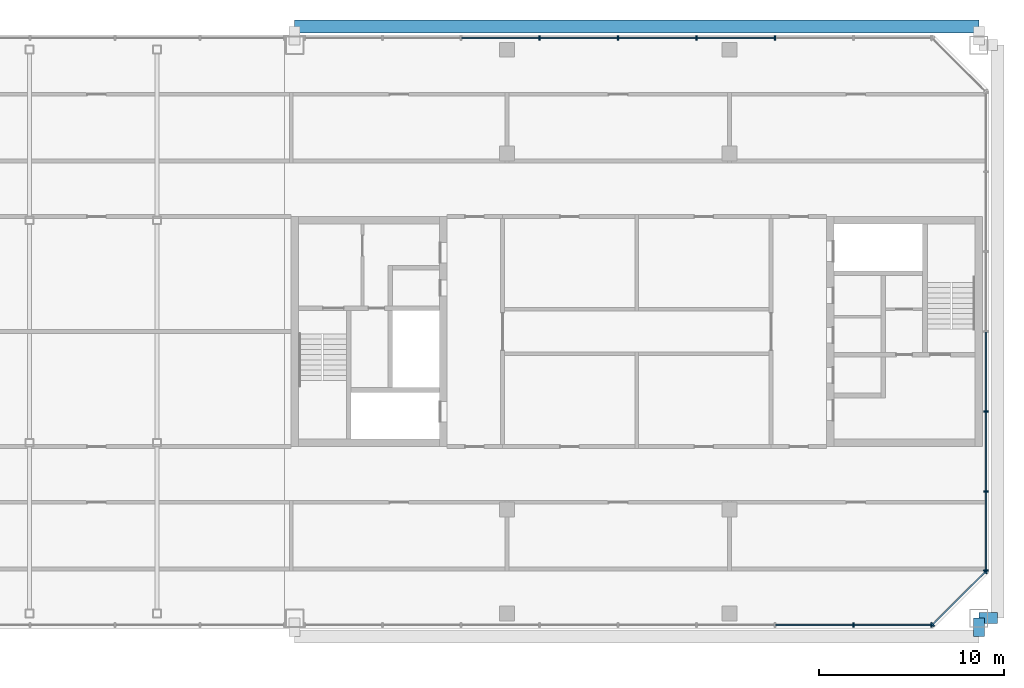
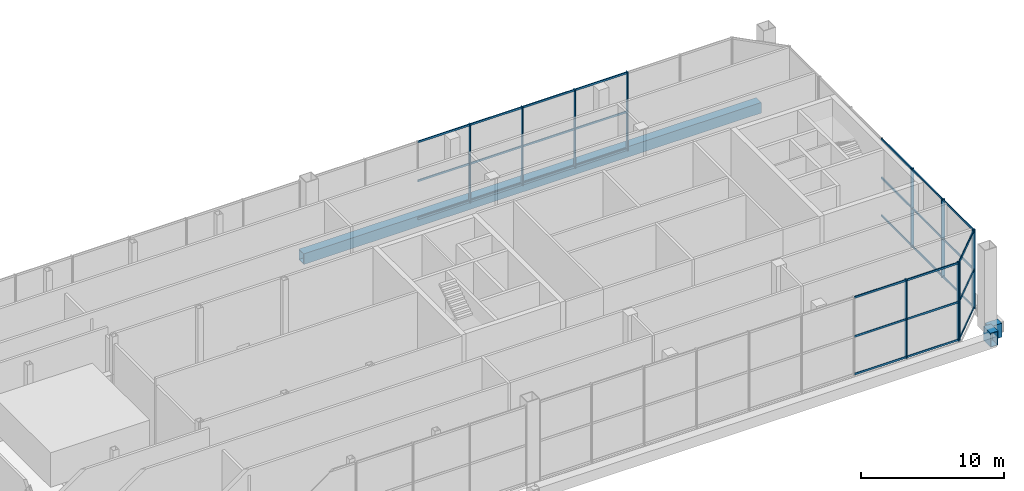
# One storey, part 12 of 27: 41 members, 3 beams, 4 elements without a shape of their own.
"""IFC4 building model written with IfcOpenShell, lengths in metres."""

from ifc_helpers import new_model, si_unit, direction, frame, origin, origin_2d, place, context, subcontext, project, spatial, rectangle, hollow_rectangle, extrude, material, material_profile, profile_set, type_object, element, aggregate, save


model = new_model("IFC4")

# Units and contexts
model_context = context("Model", 3, precision=1e-05, world=origin(), true_north=direction((0.0, 1.0)))
body_context = subcontext(model_context, "Body", "Model", "MODEL_VIEW")
ifc_project = project(units=[si_unit("LENGTHUNIT", "METRE"), si_unit("AREAUNIT", "SQUARE_METRE"), si_unit("VOLUMEUNIT", "CUBIC_METRE"), si_unit("PLANEANGLEUNIT", "RADIAN"), si_unit("MASSUNIT", "GRAM", prefix="KILO")], contexts=[model_context])

# Site, building, storey
site_placement = place(None, origin())
site = spatial("IfcSite", under=ifc_project, at=site_placement, CompositionType="ELEMENT")
building_placement = place(site_placement, origin())
building = spatial("IfcBuilding", under=site, at=building_placement, Name="Tuart Gate Housing", CompositionType="ELEMENT")
storey_placement = place(building_placement, frame((0.0, 0.0, 236.89990234375)))
storey = spatial("IfcBuildingStorey", under=building, at=storey_placement, Name="L67", CompositionType="ELEMENT", Elevation=236.89990234375)

# Beams
ifc_material_1 = material(Name="Steel Grade 350", Category="steel")
ifc_material_profile_1 = material_profile(ifc_material_1, hollow_rectangle(XDim=0.60009765625, YDim=1.199951171875, WallThickness=0.0400390625, at=origin_2d()), Name="BOX 1200x600x40")
ifc_profile_set_1 = profile_set([ifc_material_profile_1], Name="Steel Grade 350")
beam_type_1 = type_object("IfcBeamType", Name="Brace shoe BOX 1200x600x40", PredefinedType="BEAM", material=ifc_profile_set_1)
for number, where, z_axis, x_axis, name in (
    (1, (168.449951171875, 54.550048828125, -0.39990234375), (0.0, -1.0, 0.0), (1.0, 0.0, 0.0), "Mega tie beam B node 8 south shoe 1 L67"),
    (2, (168.449951171875, 54.550048828125, -0.39990234375), (1.0, 0.0, 0.0), (0.0, 1.0, 0.0), "Mega tie beam B node 8 east shoe 0 L67"),
):
    element("IfcBeam", number, at=place(storey_placement, frame(where, z_axis=z_axis, x_axis=x_axis)), inside=storey, type_object=beam_type_1, Name=name, PredefinedType="BEAM", context=body_context, shape_type="SweptSolid", body=[
        extrude(hollow_rectangle(XDim=0.60009765625, YDim=1.199951171875, WallThickness=0.0400390625, at=origin_2d()), origin(), (0.0, 0.0, 1.0), 1.0),
    ])

# Curtain wall, members
ifc_material_2 = material(Name="Aluminium and clear glass", Category="aluminium")
curtain_wall_type = type_object("IfcCurtainWallType", Name="Damper floor glazing", PredefinedType="USERDEFINED", material=ifc_material_2)
curtain_wall_1_placement = place(storey_placement, origin())
curtain_wall_1 = element("IfcCurtainWall", 3, at=curtain_wall_1_placement, inside=storey, type_object=curtain_wall_type, Name="Damper floor glazing BLK-S L67", ObjectType="DAMPER FLOOR GLAZING", PredefinedType="USERDEFINED")
ifc_material_3 = material(Name="Anodised aluminium", Category="aluminium")
ifc_material_profile_2 = material_profile(ifc_material_3, rectangle(XDim=0.080078125, YDim=0.25, at=origin_2d()), Name="80x250")
ifc_profile_set_2 = profile_set([ifc_material_profile_2], Name="Anodised aluminium")
member_type_1 = type_object("IfcMemberType", Name="Mullion 80 x 250", PredefinedType="MULLION", material=ifc_profile_set_2)
member_1_placement = place(storey_placement, frame((161.691162109375, 54.179931640625, 0.0), z_axis=(0.0, 0.0, 1.0), x_axis=(1.0, 0.0, 0.0)))
member_1 = element("IfcMember", 4, at=member_1_placement, type_object=member_type_1, Name="CW5 mullion 8", PredefinedType="MULLION", context=body_context, shape_type="SweptSolid", body=[
    extrude(rectangle(XDim=0.080078125, YDim=0.25, at=origin_2d()), origin(), (0.0, 0.0, 1.0), 6.7001953125),
])
member_2_placement = place(storey_placement, frame((165.885498046875, 54.179931640625, 0.0), z_axis=(0.0, 0.0, 1.0), x_axis=(1.0, 0.0, 0.0)))
member_2 = element("IfcMember", 5, at=member_2_placement, type_object=member_type_1, Name="CW5 mullion 9", PredefinedType="MULLION", context=body_context, shape_type="SweptSolid", body=[
    extrude(rectangle(XDim=0.080078125, YDim=0.25, at=origin_2d()), origin(), (0.0, 0.0, 1.0), 6.7001953125),
])

curtain_wall_2_placement = place(storey_placement, origin())
curtain_wall_2 = element("IfcCurtainWall", 6, at=curtain_wall_2_placement, inside=storey, type_object=curtain_wall_type, Name="Damper floor glazing BLK-SE L67", ObjectType="DAMPER FLOOR GLAZING", PredefinedType="USERDEFINED")
member_3_placement = place(storey_placement, frame((165.95361328125, 54.208251953125, 0.0), z_axis=(0.0, 0.0, 1.0), x_axis=(0.707106781187, 0.707106781187, 0.0)))
member_3 = element("IfcMember", 7, at=member_3_placement, type_object=member_type_1, Name="CW5 mullion 1", PredefinedType="MULLION", context=body_context, shape_type="SweptSolid", body=[
    extrude(rectangle(XDim=0.080078125, YDim=0.25, at=origin_2d()), origin(), (0.0, 0.0, 1.0), 6.7001953125),
])
member_4_placement = place(storey_placement, frame((168.791748046875, 57.04638671875, 0.0), z_axis=(0.0, 0.0, 1.0), x_axis=(0.707106781187, 0.707106781187, 0.0)))
member_4 = element("IfcMember", 8, at=member_4_placement, type_object=member_type_1, Name="CW5 mullion 2", PredefinedType="MULLION", context=body_context, shape_type="SweptSolid", body=[
    extrude(rectangle(XDim=0.080078125, YDim=0.25, at=origin_2d()), origin(), (0.0, 0.0, 1.0), 6.7001953125),
])

curtain_wall_3_placement = place(storey_placement, origin())
curtain_wall_3 = element("IfcCurtainWall", 9, at=curtain_wall_3_placement, inside=storey, type_object=curtain_wall_type, Name="Damper floor glazing BLK-E L67", ObjectType="DAMPER FLOOR GLAZING", PredefinedType="USERDEFINED")
member_5_placement = place(storey_placement, frame((168.820068359375, 57.114501953125, 0.0), z_axis=(0.0, 0.0, 1.0), x_axis=(0.0, 1.0, 0.0)))
member_5 = element("IfcMember", 10, at=member_5_placement, type_object=member_type_1, Name="CW5 mullion 1", PredefinedType="MULLION", context=body_context, shape_type="SweptSolid", body=[
    extrude(rectangle(XDim=0.080078125, YDim=0.25, at=origin_2d()), origin(), (0.0, 0.0, 1.0), 6.7001953125),
])
member_6_placement = place(storey_placement, frame((168.820068359375, 61.383056640625, 0.0), z_axis=(0.0, 0.0, 1.0), x_axis=(0.0, 1.0, 0.0)))
member_6 = element("IfcMember", 11, at=member_6_placement, type_object=member_type_1, Name="CW5 mullion 2", PredefinedType="MULLION", context=body_context, shape_type="SweptSolid", body=[
    extrude(rectangle(XDim=0.080078125, YDim=0.25, at=origin_2d()), origin(), (0.0, 0.0, 1.0), 6.7001953125),
])
member_7_placement = place(storey_placement, frame((168.820068359375, 65.691650390625, 0.0), z_axis=(0.0, 0.0, 1.0), x_axis=(0.0, 1.0, 0.0)))
member_7 = element("IfcMember", 12, at=member_7_placement, type_object=member_type_1, Name="CW5 mullion 3", PredefinedType="MULLION", context=body_context, shape_type="SweptSolid", body=[
    extrude(rectangle(XDim=0.080078125, YDim=0.25, at=origin_2d()), origin(), (0.0, 0.0, 1.0), 6.7001953125),
])

curtain_wall_4_placement = place(storey_placement, origin())
curtain_wall_4 = element("IfcCurtainWall", 13, at=curtain_wall_4_placement, inside=storey, type_object=curtain_wall_type, Name="Damper floor glazing BLK-N L67", ObjectType="DAMPER FLOOR GLAZING", PredefinedType="USERDEFINED")
member_8_placement = place(storey_placement, frame((157.45654296875, 85.820068359375, 0.0), z_axis=(0.0, 0.0, 1.0), x_axis=(-1.0, 0.0, 0.0)))
member_8 = element("IfcMember", 14, at=member_8_placement, type_object=member_type_1, Name="CW5 mullion 3", PredefinedType="MULLION", context=body_context, shape_type="SweptSolid", body=[
    extrude(rectangle(XDim=0.080078125, YDim=0.25, at=origin_2d()), origin(), (0.0, 0.0, 1.0), 6.7001953125),
])
member_9_placement = place(storey_placement, frame((153.22216796875, 85.820068359375, 0.0), z_axis=(0.0, 0.0, 1.0), x_axis=(-1.0, 0.0, 0.0)))
member_9 = element("IfcMember", 15, at=member_9_placement, type_object=member_type_1, Name="CW5 mullion 4", PredefinedType="MULLION", context=body_context, shape_type="SweptSolid", body=[
    extrude(rectangle(XDim=0.080078125, YDim=0.25, at=origin_2d()), origin(), (0.0, 0.0, 1.0), 6.7001953125),
])
member_10_placement = place(storey_placement, frame((148.98779296875, 85.820068359375, 0.0), z_axis=(0.0, 0.0, 1.0), x_axis=(-1.0, 0.0, 0.0)))
member_10 = element("IfcMember", 16, at=member_10_placement, type_object=member_type_1, Name="CW5 mullion 5", PredefinedType="MULLION", context=body_context, shape_type="SweptSolid", body=[
    extrude(rectangle(XDim=0.080078125, YDim=0.25, at=origin_2d()), origin(), (0.0, 0.0, 1.0), 6.7001953125),
])
member_11_placement = place(storey_placement, frame((144.753173828125, 85.820068359375, 0.0), z_axis=(0.0, 0.0, 1.0), x_axis=(-1.0, 0.0, 0.0)))
member_11 = element("IfcMember", 17, at=member_11_placement, type_object=member_type_1, Name="CW5 mullion 6", PredefinedType="MULLION", context=body_context, shape_type="SweptSolid", body=[
    extrude(rectangle(XDim=0.080078125, YDim=0.25, at=origin_2d()), origin(), (0.0, 0.0, 1.0), 6.7001953125),
])

# Beam
ifc_material_4 = material(Name="Steel Grade 350", Category="steel")
ifc_material_profile_3 = material_profile(ifc_material_4, hollow_rectangle(XDim=0.699951171875, YDim=0.89990234375, WallThickness=0.0400390625, at=origin_2d()), Name="BOX 900x700x40")
ifc_profile_set_3 = profile_set([ifc_material_profile_3], Name="Steel Grade 350")
beam_type_2 = type_object("IfcBeamType", Name="Tie beam BOX 900x700x40", PredefinedType="BEAM", material=ifc_profile_set_3)
beam_placement = place(storey_placement, frame((131.550048828125, 86.449951171875, -0.39990234375), z_axis=(1.0, 0.0, 0.0), x_axis=(0.0, 1.0, 0.0)))
element("IfcBeam", 18, at=beam_placement, inside=storey, type_object=beam_type_2, Name="Mega tie beam B node 8 north L67", PredefinedType="BEAM", context=body_context, shape_type="SweptSolid", body=[
    extrude(hollow_rectangle(XDim=0.699951171875, YDim=0.89990234375, WallThickness=0.0400390625, at=origin_2d()), origin(), (0.0, 0.0, 1.0), 36.89990234375),
])

# Member
ifc_material_5 = material(Name="Anodised aluminium", Category="aluminium")
ifc_material_profile_4 = material_profile(ifc_material_5, rectangle(XDim=0.080078125, YDim=0.159912109375, at=origin_2d()), Name="80x160")
ifc_profile_set_4 = profile_set([ifc_material_profile_4], Name="Anodised aluminium")
member_type_2 = type_object("IfcMemberType", Name="Transom 80 x 160", PredefinedType="USERDEFINED", material=ifc_profile_set_4)
member_12_placement = place(storey_placement, frame((157.49658203125, 54.179931640625, 0.080078125), z_axis=(1.0, 0.0, 0.0), x_axis=(0.0, 1.0, 0.0)))
member_12 = element("IfcMember", 19, at=member_12_placement, type_object=member_type_2, Name="CW5 transom 7.1", ObjectType="TRANSOM", PredefinedType="USERDEFINED", context=body_context, shape_type="SweptSolid", body=[
    extrude(rectangle(XDim=0.080078125, YDim=0.159912109375, at=origin_2d()), origin(), (0.0, 0.0, 1.0), 4.154541015625),
])

member_13_placement = place(storey_placement, frame((157.49658203125, 54.179931640625, 3.300048828125), z_axis=(1.0, 0.0, 0.0), x_axis=(0.0, 1.0, 0.0)))
member_13 = element("IfcMember", 20, at=member_13_placement, type_object=member_type_2, Name="CW5 transom 7.2", ObjectType="TRANSOM", PredefinedType="USERDEFINED", context=body_context, shape_type="SweptSolid", body=[
    extrude(rectangle(XDim=0.080078125, YDim=0.159912109375, at=origin_2d()), origin(), (0.0, 0.0, 1.0), 4.154541015625),
])

member_14_placement = place(storey_placement, frame((157.49658203125, 54.179931640625, 6.6201171875), z_axis=(1.0, 0.0, 0.0), x_axis=(0.0, 1.0, 0.0)))
member_14 = element("IfcMember", 21, at=member_14_placement, type_object=member_type_2, Name="CW5 transom 7.3", ObjectType="TRANSOM", PredefinedType="USERDEFINED", context=body_context, shape_type="SweptSolid", body=[
    extrude(rectangle(XDim=0.080078125, YDim=0.159912109375, at=origin_2d()), origin(), (0.0, 0.0, 1.0), 4.154541015625),
])

member_15_placement = place(storey_placement, frame((161.73095703125, 54.179931640625, 0.080078125), z_axis=(1.0, 0.0, 0.0), x_axis=(0.0, 1.0, 0.0)))
member_15 = element("IfcMember", 22, at=member_15_placement, type_object=member_type_2, Name="CW5 transom 8.1", ObjectType="TRANSOM", PredefinedType="USERDEFINED", context=body_context, shape_type="SweptSolid", body=[
    extrude(rectangle(XDim=0.080078125, YDim=0.159912109375, at=origin_2d()), origin(), (0.0, 0.0, 1.0), 4.114501953125),
])

member_16_placement = place(storey_placement, frame((161.73095703125, 54.179931640625, 3.300048828125), z_axis=(1.0, 0.0, 0.0), x_axis=(0.0, 1.0, 0.0)))
member_16 = element("IfcMember", 23, at=member_16_placement, type_object=member_type_2, Name="CW5 transom 8.2", ObjectType="TRANSOM", PredefinedType="USERDEFINED", context=body_context, shape_type="SweptSolid", body=[
    extrude(rectangle(XDim=0.080078125, YDim=0.159912109375, at=origin_2d()), origin(), (0.0, 0.0, 1.0), 4.114501953125),
])

member_17_placement = place(storey_placement, frame((161.73095703125, 54.179931640625, 6.6201171875), z_axis=(1.0, 0.0, 0.0), x_axis=(0.0, 1.0, 0.0)))
member_17 = element("IfcMember", 24, at=member_17_placement, type_object=member_type_2, Name="CW5 transom 8.3", ObjectType="TRANSOM", PredefinedType="USERDEFINED", context=body_context, shape_type="SweptSolid", body=[
    extrude(rectangle(XDim=0.080078125, YDim=0.159912109375, at=origin_2d()), origin(), (0.0, 0.0, 1.0), 4.114501953125),
])

aggregate(curtain_wall_1, [member_1, member_2, member_12, member_13, member_14, member_15, member_16, member_17])

member_18_placement = place(storey_placement, frame((165.98193359375, 54.236572265625, 0.080078125), z_axis=(0.707106781187, 0.707106781187, 0.0), x_axis=(-0.707106781187, 0.707106781187, 0.0)))
member_18 = element("IfcMember", 25, at=member_18_placement, type_object=member_type_2, Name="CW5 transom 1.1", ObjectType="TRANSOM", PredefinedType="USERDEFINED", context=body_context, shape_type="SweptSolid", body=[
    extrude(rectangle(XDim=0.080078125, YDim=0.159912109375, at=origin_2d()), origin(), (0.0, 0.0, 1.0), 3.93359375),
])

member_19_placement = place(storey_placement, frame((165.98193359375, 54.236572265625, 3.300048828125), z_axis=(0.707106781187, 0.707106781187, 0.0), x_axis=(-0.707106781187, 0.707106781187, 0.0)))
member_19 = element("IfcMember", 26, at=member_19_placement, type_object=member_type_2, Name="CW5 transom 1.2", ObjectType="TRANSOM", PredefinedType="USERDEFINED", context=body_context, shape_type="SweptSolid", body=[
    extrude(rectangle(XDim=0.080078125, YDim=0.159912109375, at=origin_2d()), origin(), (0.0, 0.0, 1.0), 3.93359375),
])

member_20_placement = place(storey_placement, frame((165.98193359375, 54.236572265625, 6.6201171875), z_axis=(0.707106781187, 0.707106781187, 0.0), x_axis=(-0.707106781187, 0.707106781187, 0.0)))
member_20 = element("IfcMember", 27, at=member_20_placement, type_object=member_type_2, Name="CW5 transom 1.3", ObjectType="TRANSOM", PredefinedType="USERDEFINED", context=body_context, shape_type="SweptSolid", body=[
    extrude(rectangle(XDim=0.080078125, YDim=0.159912109375, at=origin_2d()), origin(), (0.0, 0.0, 1.0), 3.93359375),
])

aggregate(curtain_wall_2, [member_3, member_4, member_18, member_19, member_20])

member_21_placement = place(storey_placement, frame((168.820068359375, 57.154541015625, 0.080078125), z_axis=(0.0, 1.0, 0.0), x_axis=(-1.0, 0.0, 0.0)))
member_21 = element("IfcMember", 28, at=member_21_placement, type_object=member_type_2, Name="CW5 transom 1.1", ObjectType="TRANSOM", PredefinedType="USERDEFINED", context=body_context, shape_type="SweptSolid", body=[
    extrude(rectangle(XDim=0.080078125, YDim=0.159912109375, at=origin_2d()), origin(), (0.0, 0.0, 1.0), 4.1884765625),
])

member_22_placement = place(storey_placement, frame((168.820068359375, 57.154541015625, 3.300048828125), z_axis=(0.0, 1.0, 0.0), x_axis=(-1.0, 0.0, 0.0)))
member_22 = element("IfcMember", 29, at=member_22_placement, type_object=member_type_2, Name="CW5 transom 1.2", ObjectType="TRANSOM", PredefinedType="USERDEFINED", context=body_context, shape_type="SweptSolid", body=[
    extrude(rectangle(XDim=0.080078125, YDim=0.159912109375, at=origin_2d()), origin(), (0.0, 0.0, 1.0), 4.1884765625),
])

member_23_placement = place(storey_placement, frame((168.820068359375, 57.154541015625, 6.6201171875), z_axis=(0.0, 1.0, 0.0), x_axis=(-1.0, 0.0, 0.0)))
member_23 = element("IfcMember", 30, at=member_23_placement, type_object=member_type_2, Name="CW5 transom 1.3", ObjectType="TRANSOM", PredefinedType="USERDEFINED", context=body_context, shape_type="SweptSolid", body=[
    extrude(rectangle(XDim=0.080078125, YDim=0.159912109375, at=origin_2d()), origin(), (0.0, 0.0, 1.0), 4.1884765625),
])

member_24_placement = place(storey_placement, frame((168.820068359375, 61.423095703125, 0.080078125), z_axis=(0.0, 1.0, 0.0), x_axis=(-1.0, 0.0, 0.0)))
member_24 = element("IfcMember", 31, at=member_24_placement, type_object=member_type_2, Name="CW5 transom 2.1", ObjectType="TRANSOM", PredefinedType="USERDEFINED", context=body_context, shape_type="SweptSolid", body=[
    extrude(rectangle(XDim=0.080078125, YDim=0.159912109375, at=origin_2d()), origin(), (0.0, 0.0, 1.0), 4.228515625),
])

member_25_placement = place(storey_placement, frame((168.820068359375, 61.423095703125, 3.300048828125), z_axis=(0.0, 1.0, 0.0), x_axis=(-1.0, 0.0, 0.0)))
member_25 = element("IfcMember", 32, at=member_25_placement, type_object=member_type_2, Name="CW5 transom 2.2", ObjectType="TRANSOM", PredefinedType="USERDEFINED", context=body_context, shape_type="SweptSolid", body=[
    extrude(rectangle(XDim=0.080078125, YDim=0.159912109375, at=origin_2d()), origin(), (0.0, 0.0, 1.0), 4.228515625),
])

member_26_placement = place(storey_placement, frame((168.820068359375, 61.423095703125, 6.6201171875), z_axis=(0.0, 1.0, 0.0), x_axis=(-1.0, 0.0, 0.0)))
member_26 = element("IfcMember", 33, at=member_26_placement, type_object=member_type_2, Name="CW5 transom 2.3", ObjectType="TRANSOM", PredefinedType="USERDEFINED", context=body_context, shape_type="SweptSolid", body=[
    extrude(rectangle(XDim=0.080078125, YDim=0.159912109375, at=origin_2d()), origin(), (0.0, 0.0, 1.0), 4.228515625),
])

member_27_placement = place(storey_placement, frame((168.820068359375, 65.7314453125, 0.080078125), z_axis=(0.0, 1.0, 0.0), x_axis=(-1.0, 0.0, 0.0)))
member_27 = element("IfcMember", 34, at=member_27_placement, type_object=member_type_2, Name="CW5 transom 3.1", ObjectType="TRANSOM", PredefinedType="USERDEFINED", context=body_context, shape_type="SweptSolid", body=[
    extrude(rectangle(XDim=0.080078125, YDim=0.159912109375, at=origin_2d()), origin(), (0.0, 0.0, 1.0), 4.228515625),
])

member_28_placement = place(storey_placement, frame((168.820068359375, 65.7314453125, 3.300048828125), z_axis=(0.0, 1.0, 0.0), x_axis=(-1.0, 0.0, 0.0)))
member_28 = element("IfcMember", 35, at=member_28_placement, type_object=member_type_2, Name="CW5 transom 3.2", ObjectType="TRANSOM", PredefinedType="USERDEFINED", context=body_context, shape_type="SweptSolid", body=[
    extrude(rectangle(XDim=0.080078125, YDim=0.159912109375, at=origin_2d()), origin(), (0.0, 0.0, 1.0), 4.228515625),
])

member_29_placement = place(storey_placement, frame((168.820068359375, 65.7314453125, 6.6201171875), z_axis=(0.0, 1.0, 0.0), x_axis=(-1.0, 0.0, 0.0)))
member_29 = element("IfcMember", 36, at=member_29_placement, type_object=member_type_2, Name="CW5 transom 3.3", ObjectType="TRANSOM", PredefinedType="USERDEFINED", context=body_context, shape_type="SweptSolid", body=[
    extrude(rectangle(XDim=0.080078125, YDim=0.159912109375, at=origin_2d()), origin(), (0.0, 0.0, 1.0), 4.228515625),
])

aggregate(curtain_wall_3, [member_5, member_6, member_7, member_21, member_22, member_23, member_24, member_25, member_26, member_27, member_28, member_29])

member_30_placement = place(storey_placement, frame((157.41650390625, 85.820068359375, 0.080078125), z_axis=(-1.0, 0.0, 0.0), x_axis=(0.0, -1.0, 0.0)))
member_30 = element("IfcMember", 37, at=member_30_placement, type_object=member_type_2, Name="CW5 transom 3.1", ObjectType="TRANSOM", PredefinedType="USERDEFINED", context=body_context, shape_type="SweptSolid", body=[
    extrude(rectangle(XDim=0.080078125, YDim=0.159912109375, at=origin_2d()), origin(), (0.0, 0.0, 1.0), 4.154296875),
])

member_31_placement = place(storey_placement, frame((157.41650390625, 85.820068359375, 3.300048828125), z_axis=(-1.0, 0.0, 0.0), x_axis=(0.0, -1.0, 0.0)))
member_31 = element("IfcMember", 38, at=member_31_placement, type_object=member_type_2, Name="CW5 transom 3.2", ObjectType="TRANSOM", PredefinedType="USERDEFINED", context=body_context, shape_type="SweptSolid", body=[
    extrude(rectangle(XDim=0.080078125, YDim=0.159912109375, at=origin_2d()), origin(), (0.0, 0.0, 1.0), 4.154296875),
])

member_32_placement = place(storey_placement, frame((157.41650390625, 85.820068359375, 6.6201171875), z_axis=(-1.0, 0.0, 0.0), x_axis=(0.0, -1.0, 0.0)))
member_32 = element("IfcMember", 39, at=member_32_placement, type_object=member_type_2, Name="CW5 transom 3.3", ObjectType="TRANSOM", PredefinedType="USERDEFINED", context=body_context, shape_type="SweptSolid", body=[
    extrude(rectangle(XDim=0.080078125, YDim=0.159912109375, at=origin_2d()), origin(), (0.0, 0.0, 1.0), 4.154296875),
])

member_33_placement = place(storey_placement, frame((153.18212890625, 85.820068359375, 0.080078125), z_axis=(-1.0, 0.0, 0.0), x_axis=(0.0, -1.0, 0.0)))
member_33 = element("IfcMember", 40, at=member_33_placement, type_object=member_type_2, Name="CW5 transom 4.1", ObjectType="TRANSOM", PredefinedType="USERDEFINED", context=body_context, shape_type="SweptSolid", body=[
    extrude(rectangle(XDim=0.080078125, YDim=0.159912109375, at=origin_2d()), origin(), (0.0, 0.0, 1.0), 4.154541015625),
])

member_34_placement = place(storey_placement, frame((153.18212890625, 85.820068359375, 3.300048828125), z_axis=(-1.0, 0.0, 0.0), x_axis=(0.0, -1.0, 0.0)))
member_34 = element("IfcMember", 41, at=member_34_placement, type_object=member_type_2, Name="CW5 transom 4.2", ObjectType="TRANSOM", PredefinedType="USERDEFINED", context=body_context, shape_type="SweptSolid", body=[
    extrude(rectangle(XDim=0.080078125, YDim=0.159912109375, at=origin_2d()), origin(), (0.0, 0.0, 1.0), 4.154541015625),
])

member_35_placement = place(storey_placement, frame((153.18212890625, 85.820068359375, 6.6201171875), z_axis=(-1.0, 0.0, 0.0), x_axis=(0.0, -1.0, 0.0)))
member_35 = element("IfcMember", 42, at=member_35_placement, type_object=member_type_2, Name="CW5 transom 4.3", ObjectType="TRANSOM", PredefinedType="USERDEFINED", context=body_context, shape_type="SweptSolid", body=[
    extrude(rectangle(XDim=0.080078125, YDim=0.159912109375, at=origin_2d()), origin(), (0.0, 0.0, 1.0), 4.154541015625),
])

member_36_placement = place(storey_placement, frame((148.94775390625, 85.820068359375, 0.080078125), z_axis=(-1.0, 0.0, 0.0), x_axis=(0.0, -1.0, 0.0)))
member_36 = element("IfcMember", 43, at=member_36_placement, type_object=member_type_2, Name="CW5 transom 5.1", ObjectType="TRANSOM", PredefinedType="USERDEFINED", context=body_context, shape_type="SweptSolid", body=[
    extrude(rectangle(XDim=0.080078125, YDim=0.159912109375, at=origin_2d()), origin(), (0.0, 0.0, 1.0), 4.154541015625),
])

member_37_placement = place(storey_placement, frame((148.94775390625, 85.820068359375, 3.300048828125), z_axis=(-1.0, 0.0, 0.0), x_axis=(0.0, -1.0, 0.0)))
member_37 = element("IfcMember", 44, at=member_37_placement, type_object=member_type_2, Name="CW5 transom 5.2", ObjectType="TRANSOM", PredefinedType="USERDEFINED", context=body_context, shape_type="SweptSolid", body=[
    extrude(rectangle(XDim=0.080078125, YDim=0.159912109375, at=origin_2d()), origin(), (0.0, 0.0, 1.0), 4.154541015625),
])

member_38_placement = place(storey_placement, frame((148.94775390625, 85.820068359375, 6.6201171875), z_axis=(-1.0, 0.0, 0.0), x_axis=(0.0, -1.0, 0.0)))
member_38 = element("IfcMember", 45, at=member_38_placement, type_object=member_type_2, Name="CW5 transom 5.3", ObjectType="TRANSOM", PredefinedType="USERDEFINED", context=body_context, shape_type="SweptSolid", body=[
    extrude(rectangle(XDim=0.080078125, YDim=0.159912109375, at=origin_2d()), origin(), (0.0, 0.0, 1.0), 4.154541015625),
])

member_39_placement = place(storey_placement, frame((144.71337890625, 85.820068359375, 0.080078125), z_axis=(-1.0, 0.0, 0.0), x_axis=(0.0, -1.0, 0.0)))
member_39 = element("IfcMember", 46, at=member_39_placement, type_object=member_type_2, Name="CW5 transom 6.1", ObjectType="TRANSOM", PredefinedType="USERDEFINED", context=body_context, shape_type="SweptSolid", body=[
    extrude(rectangle(XDim=0.080078125, YDim=0.159912109375, at=origin_2d()), origin(), (0.0, 0.0, 1.0), 4.154541015625),
])

member_40_placement = place(storey_placement, frame((144.71337890625, 85.820068359375, 3.300048828125), z_axis=(-1.0, 0.0, 0.0), x_axis=(0.0, -1.0, 0.0)))
member_40 = element("IfcMember", 47, at=member_40_placement, type_object=member_type_2, Name="CW5 transom 6.2", ObjectType="TRANSOM", PredefinedType="USERDEFINED", context=body_context, shape_type="SweptSolid", body=[
    extrude(rectangle(XDim=0.080078125, YDim=0.159912109375, at=origin_2d()), origin(), (0.0, 0.0, 1.0), 4.154541015625),
])

member_41_placement = place(storey_placement, frame((144.71337890625, 85.820068359375, 6.6201171875), z_axis=(-1.0, 0.0, 0.0), x_axis=(0.0, -1.0, 0.0)))
member_41 = element("IfcMember", 48, at=member_41_placement, type_object=member_type_2, Name="CW5 transom 6.3", ObjectType="TRANSOM", PredefinedType="USERDEFINED", context=body_context, shape_type="SweptSolid", body=[
    extrude(rectangle(XDim=0.080078125, YDim=0.159912109375, at=origin_2d()), origin(), (0.0, 0.0, 1.0), 4.154541015625),
])

aggregate(curtain_wall_4, [member_8, member_9, member_10, member_11, member_30, member_31, member_32, member_33, member_34, member_35, member_36, member_37, member_38, member_39, member_40, member_41])

save(model, "model.ifc")
